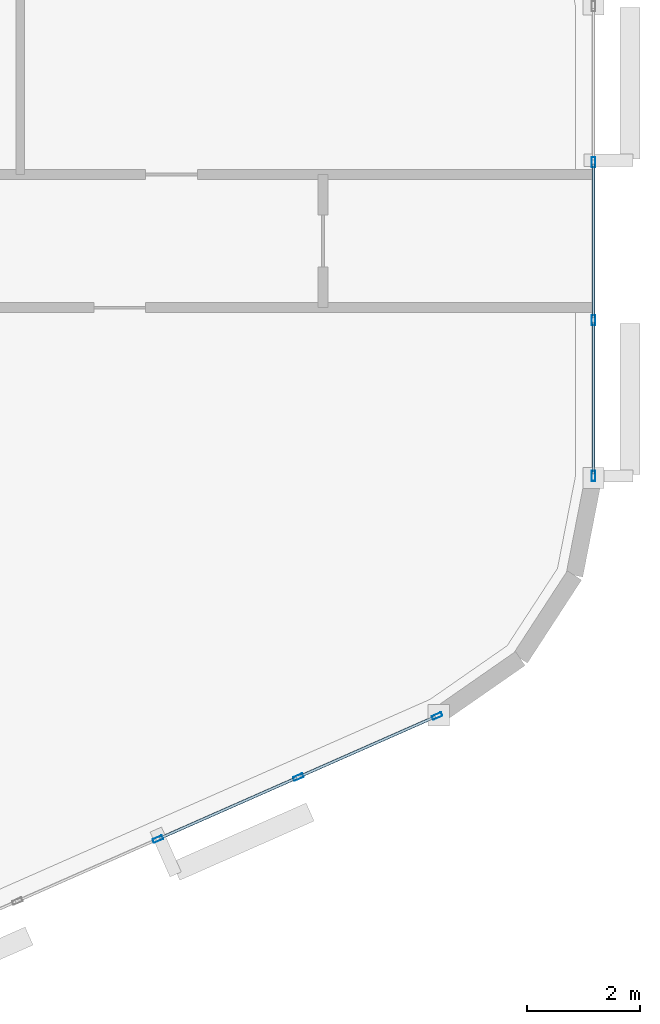
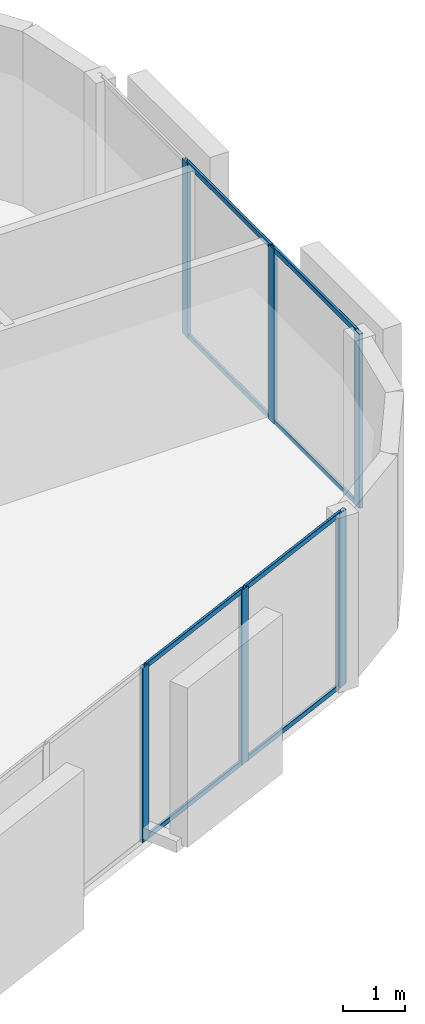
# One storey, part 4 of 14: 14 members, 2 elements without a shape of their own.
"""IFC4 building model written with IfcOpenShell, lengths in metres."""

from ifc_helpers import new_model, si_unit, direction, frame, origin, origin_2d, place, context, subcontext, project, spatial, hollow_rectangle, extrude, material, layer, layer_set, material_profile, profile_set, type_object, element, aggregate, save


model = new_model("IFC4")

# Units and contexts
model_context = context("Model", 3, precision=1e-05, world=origin(), true_north=direction((0.0, 1.0)))
body_context = subcontext(model_context, "Body", "Model", "MODEL_VIEW")
ifc_project = project(units=[si_unit("LENGTHUNIT", "METRE"), si_unit("AREAUNIT", "SQUARE_METRE"), si_unit("VOLUMEUNIT", "CUBIC_METRE"), si_unit("PLANEANGLEUNIT", "RADIAN"), si_unit("MASSUNIT", "GRAM", prefix="KILO")], contexts=[model_context])

# Site, building, storey
site_placement = place(None, origin())
site = spatial("IfcSite", under=ifc_project, at=site_placement, CompositionType="ELEMENT")
building_placement = place(site_placement, origin())
building = spatial("IfcBuilding", under=site, at=building_placement, Name="An Khanh Terracotta Commons", CompositionType="ELEMENT")
storey_placement = place(building_placement, frame((0.0, 0.0, 284.35009765625)))
storey = spatial("IfcBuildingStorey", under=building, at=storey_placement, Name="L74", CompositionType="ELEMENT", Elevation=284.35009765625)

# Curtain wall, members
ifc_material = material(Name="Anodised Aluminium 6063-T6", Category="aluminium")
ifc_layer = layer(ifc_material, 0.2099609375, Name="Anodised Aluminium 6063-T6")
ifc_layer_set = layer_set([ifc_layer], Name="Anodised Aluminium 6063-T6")
curtain_wall_type = type_object("IfcCurtainWallType", Name="CW-SYS-03", PredefinedType="USERDEFINED", material=ifc_layer_set)
curtain_wall_1_placement = place(storey_placement, origin())
curtain_wall_1 = element("IfcCurtainWall", 1, at=curtain_wall_1_placement, inside=storey, type_object=curtain_wall_type, Name="L74 CW-03 Unitised Curtain Wall CW-L74-08", ObjectType="UNITISED CURTAIN WALL", PredefinedType="USERDEFINED")
ifc_material_profile_1 = material_profile(ifc_material, hollow_rectangle(XDim=0.070068359375, YDim=0.179931640625, WallThickness=0.00390625, InnerFilletRadius=0.00390625, OuterFilletRadius=0.008056640625, at=origin_2d()), Name="RHS180x70x4")
ifc_profile_set_1 = profile_set([ifc_material_profile_1], Name="Anodised Aluminium 6063-T6")
member_type_1 = type_object("IfcMemberType", Name="CWM-RHS180x70x4", PredefinedType="MULLION", material=ifc_profile_set_1)
member_1_placement = place(storey_placement, frame((67.8720703125, 13.390380859375, 0.0), z_axis=(0.0, 0.0, 1.0), x_axis=(-0.403676354285, 0.914901853201, 0.0)))
member_1 = element("IfcMember", 2, at=member_1_placement, type_object=member_type_1, Name="CW-03 mullion 3", PredefinedType="MULLION", context=body_context, shape_type="SweptSolid", body=[
    extrude(hollow_rectangle(XDim=0.070068359375, YDim=0.179931640625, WallThickness=0.00390625, InnerFilletRadius=0.00390625, OuterFilletRadius=0.008056640625, at=origin_2d()), origin(), (0.0, 0.0, 1.0), 3.449951171875),
])
member_2_placement = place(storey_placement, frame((70.364501953125, 14.490234375, 0.0), z_axis=(0.0, 0.0, 1.0), x_axis=(-0.403676354285, 0.914901853201, 0.0)))
member_2 = element("IfcMember", 3, at=member_2_placement, type_object=member_type_1, Name="CW-03 mullion 4", PredefinedType="MULLION", context=body_context, shape_type="SweptSolid", body=[
    extrude(hollow_rectangle(XDim=0.070068359375, YDim=0.179931640625, WallThickness=0.00390625, InnerFilletRadius=0.00390625, OuterFilletRadius=0.008056640625, at=origin_2d()), origin(), (0.0, 0.0, 1.0), 3.449951171875),
])
member_3_placement = place(storey_placement, frame((72.824951171875, 15.575927734375, 0.0), z_axis=(0.0, 0.0, 1.0), x_axis=(-0.403676354285, 0.914901853201, 0.0)))
member_3 = element("IfcMember", 4, at=member_3_placement, type_object=member_type_1, Name="CW-03 mullion 5", PredefinedType="MULLION", context=body_context, shape_type="SweptSolid", body=[
    extrude(hollow_rectangle(XDim=0.070068359375, YDim=0.179931640625, WallThickness=0.00390625, InnerFilletRadius=0.00390625, OuterFilletRadius=0.008056640625, at=origin_2d()), origin(), (0.0, 0.0, 1.0), 3.449951171875),
])

curtain_wall_2_placement = place(storey_placement, origin())
curtain_wall_2 = element("IfcCurtainWall", 5, at=curtain_wall_2_placement, inside=storey, type_object=curtain_wall_type, Name="L74 CW-03 Unitised Curtain Wall CW-L74-12", ObjectType="UNITISED CURTAIN WALL", PredefinedType="USERDEFINED")
member_4_placement = place(storey_placement, frame((75.60009765625, 19.8330078125, 0.0), z_axis=(0.0, 0.0, 1.0), x_axis=(-1.0, 0.0, 0.0)))
member_4 = element("IfcMember", 6, at=member_4_placement, type_object=member_type_1, Name="CW-03 mullion 1", PredefinedType="MULLION", context=body_context, shape_type="SweptSolid", body=[
    extrude(hollow_rectangle(XDim=0.070068359375, YDim=0.179931640625, WallThickness=0.00390625, InnerFilletRadius=0.00390625, OuterFilletRadius=0.008056640625, at=origin_2d()), origin(), (0.0, 0.0, 1.0), 3.449951171875),
])
member_5_placement = place(storey_placement, frame((75.60009765625, 22.599365234375, 0.0), z_axis=(0.0, 0.0, 1.0), x_axis=(-1.0, 0.0, 0.0)))
member_5 = element("IfcMember", 7, at=member_5_placement, type_object=member_type_1, Name="CW-03 mullion 2", PredefinedType="MULLION", context=body_context, shape_type="SweptSolid", body=[
    extrude(hollow_rectangle(XDim=0.070068359375, YDim=0.179931640625, WallThickness=0.00390625, InnerFilletRadius=0.00390625, OuterFilletRadius=0.008056640625, at=origin_2d()), origin(), (0.0, 0.0, 1.0), 3.449951171875),
])
member_6_placement = place(storey_placement, frame((75.60009765625, 25.400634765625, 0.0), z_axis=(0.0, 0.0, 1.0), x_axis=(-1.0, 0.0, 0.0)))
member_6 = element("IfcMember", 8, at=member_6_placement, type_object=member_type_1, Name="CW-03 mullion 3", PredefinedType="MULLION", context=body_context, shape_type="SweptSolid", body=[
    extrude(hollow_rectangle(XDim=0.070068359375, YDim=0.179931640625, WallThickness=0.00390625, InnerFilletRadius=0.00390625, OuterFilletRadius=0.008056640625, at=origin_2d()), origin(), (0.0, 0.0, 1.0), 3.449951171875),
])

# Member
ifc_material_profile_2 = material_profile(ifc_material, hollow_rectangle(XDim=0.050048828125, YDim=0.10009765625, WallThickness=0.003173828125, InnerFilletRadius=0.003173828125, OuterFilletRadius=0.00634765625, at=origin_2d()), Name="RHS100x50x3.2")
ifc_profile_set_2 = profile_set([ifc_material_profile_2], Name="Anodised Aluminium 6063-T6")
member_type_2 = type_object("IfcMemberType", Name="CWT-RHS100x50x3.2", PredefinedType="USERDEFINED", material=ifc_profile_set_2)
member_7_placement = place(storey_placement, frame((67.904052734375, 13.404541015625, 0.02490234375), z_axis=(0.914896820753, 0.403687759755, 0.0), x_axis=(-0.403687759755, 0.914896820753, 0.0)))
member_7 = element("IfcMember", 9, at=member_7_placement, type_object=member_type_2, Name="CW-03 transom 3.1", ObjectType="TRANSOM", PredefinedType="USERDEFINED", context=body_context, shape_type="SweptSolid", body=[
    extrude(hollow_rectangle(XDim=0.050048828125, YDim=0.10009765625, WallThickness=0.003173828125, InnerFilletRadius=0.003173828125, OuterFilletRadius=0.00634765625, at=origin_2d()), origin(), (0.0, 0.0, 1.0), 2.654296875),
])

member_8_placement = place(storey_placement, frame((67.904052734375, 13.404541015625, 3.4248046875), z_axis=(0.914896820753, 0.403687759755, 0.0), x_axis=(-0.403687759755, 0.914896820753, 0.0)))
member_8 = element("IfcMember", 10, at=member_8_placement, type_object=member_type_2, Name="CW-03 transom 3.2", ObjectType="TRANSOM", PredefinedType="USERDEFINED", context=body_context, shape_type="SweptSolid", body=[
    extrude(hollow_rectangle(XDim=0.050048828125, YDim=0.10009765625, WallThickness=0.003173828125, InnerFilletRadius=0.003173828125, OuterFilletRadius=0.00634765625, at=origin_2d()), origin(), (0.0, 0.0, 1.0), 2.654296875),
])

member_9_placement = place(storey_placement, frame((70.396484375, 14.50439453125, 0.02490234375), z_axis=(0.914903627858, 0.403672332137, 0.0), x_axis=(-0.403672332137, 0.914903627858, 0.0)))
member_9 = element("IfcMember", 11, at=member_9_placement, type_object=member_type_2, Name="CW-03 transom 4.1", ObjectType="TRANSOM", PredefinedType="USERDEFINED", context=body_context, shape_type="SweptSolid", body=[
    extrude(hollow_rectangle(XDim=0.050048828125, YDim=0.10009765625, WallThickness=0.003173828125, InnerFilletRadius=0.003173828125, OuterFilletRadius=0.00634765625, at=origin_2d()), origin(), (0.0, 0.0, 1.0), 2.619384765625),
])

member_10_placement = place(storey_placement, frame((70.396484375, 14.50439453125, 3.4248046875), z_axis=(0.914903627858, 0.403672332137, 0.0), x_axis=(-0.403672332137, 0.914903627858, 0.0)))
member_10 = element("IfcMember", 12, at=member_10_placement, type_object=member_type_2, Name="CW-03 transom 4.2", ObjectType="TRANSOM", PredefinedType="USERDEFINED", context=body_context, shape_type="SweptSolid", body=[
    extrude(hollow_rectangle(XDim=0.050048828125, YDim=0.10009765625, WallThickness=0.003173828125, InnerFilletRadius=0.003173828125, OuterFilletRadius=0.00634765625, at=origin_2d()), origin(), (0.0, 0.0, 1.0), 2.619384765625),
])

aggregate(curtain_wall_1, [member_1, member_2, member_3, member_7, member_8, member_9, member_10])

member_11_placement = place(storey_placement, frame((75.60009765625, 19.867919921875, 0.02490234375), z_axis=(0.0, 1.0, 0.0), x_axis=(-1.0, 0.0, 0.0)))
member_11 = element("IfcMember", 13, at=member_11_placement, type_object=member_type_2, Name="CW-03 transom 1.1", ObjectType="TRANSOM", PredefinedType="USERDEFINED", context=body_context, shape_type="SweptSolid", body=[
    extrude(hollow_rectangle(XDim=0.050048828125, YDim=0.10009765625, WallThickness=0.003173828125, InnerFilletRadius=0.003173828125, OuterFilletRadius=0.00634765625, at=origin_2d()), origin(), (0.0, 0.0, 1.0), 2.696533203125),
])

member_12_placement = place(storey_placement, frame((75.60009765625, 19.867919921875, 3.4248046875), z_axis=(0.0, 1.0, 0.0), x_axis=(-1.0, 0.0, 0.0)))
member_12 = element("IfcMember", 14, at=member_12_placement, type_object=member_type_2, Name="CW-03 transom 1.2", ObjectType="TRANSOM", PredefinedType="USERDEFINED", context=body_context, shape_type="SweptSolid", body=[
    extrude(hollow_rectangle(XDim=0.050048828125, YDim=0.10009765625, WallThickness=0.003173828125, InnerFilletRadius=0.003173828125, OuterFilletRadius=0.00634765625, at=origin_2d()), origin(), (0.0, 0.0, 1.0), 2.696533203125),
])

member_13_placement = place(storey_placement, frame((75.60009765625, 22.63427734375, 0.02490234375), z_axis=(0.0, 1.0, 0.0), x_axis=(-1.0, 0.0, 0.0)))
member_13 = element("IfcMember", 15, at=member_13_placement, type_object=member_type_2, Name="CW-03 transom 2.1", ObjectType="TRANSOM", PredefinedType="USERDEFINED", context=body_context, shape_type="SweptSolid", body=[
    extrude(hollow_rectangle(XDim=0.050048828125, YDim=0.10009765625, WallThickness=0.003173828125, InnerFilletRadius=0.003173828125, OuterFilletRadius=0.00634765625, at=origin_2d()), origin(), (0.0, 0.0, 1.0), 2.7314453125),
])

member_14_placement = place(storey_placement, frame((75.60009765625, 22.63427734375, 3.4248046875), z_axis=(0.0, 1.0, 0.0), x_axis=(-1.0, 0.0, 0.0)))
member_14 = element("IfcMember", 16, at=member_14_placement, type_object=member_type_2, Name="CW-03 transom 2.2", ObjectType="TRANSOM", PredefinedType="USERDEFINED", context=body_context, shape_type="SweptSolid", body=[
    extrude(hollow_rectangle(XDim=0.050048828125, YDim=0.10009765625, WallThickness=0.003173828125, InnerFilletRadius=0.003173828125, OuterFilletRadius=0.00634765625, at=origin_2d()), origin(), (0.0, 0.0, 1.0), 2.7314453125),
])

aggregate(curtain_wall_2, [member_4, member_5, member_6, member_11, member_12, member_13, member_14])

save(model, "model.ifc")
